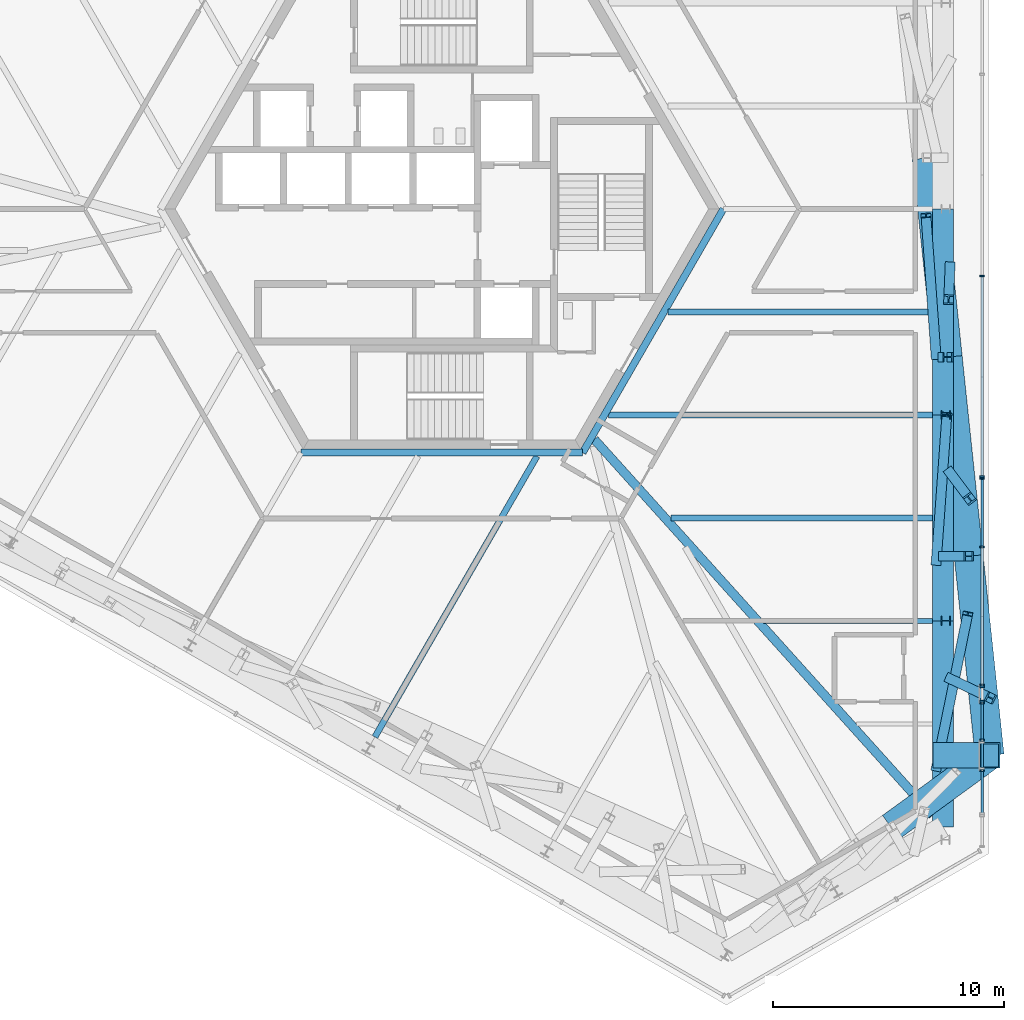
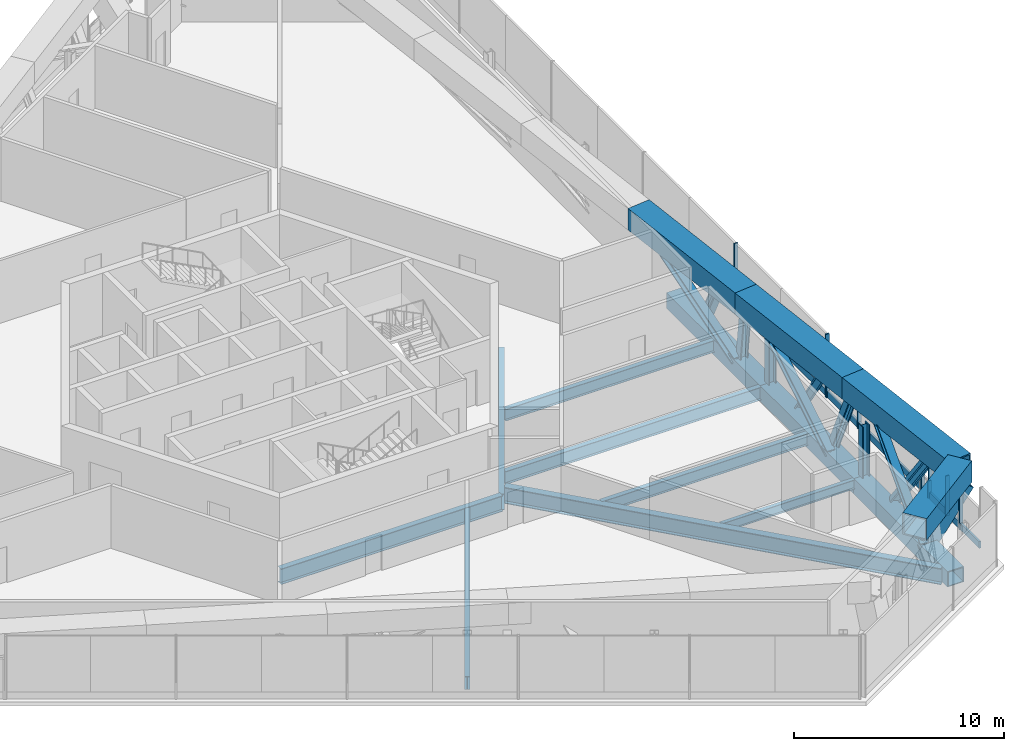
# One storey, part 4 of 23: 34 members, 8 beams, 6 elements without a shape of their own.
"""IFC4 building model written with IfcOpenShell, lengths in metres."""

from ifc_helpers import new_model, si_unit, direction, frame, origin, origin_2d, place, context, subcontext, project, spatial, rectangle, hollow_rectangle, i_section, extrude, source, transform, mapped, material, material_profile, profile_set, type_object, element, aggregate, save


model = new_model("IFC4")

# Units and contexts
model_context = context("Model", 3, precision=1e-05, world=origin(), true_north=direction((0.0, 1.0)))
body_context = subcontext(model_context, "Body", "Model", "MODEL_VIEW")
ifc_project = project(units=[si_unit("LENGTHUNIT", "METRE"), si_unit("AREAUNIT", "SQUARE_METRE"), si_unit("VOLUMEUNIT", "CUBIC_METRE"), si_unit("PLANEANGLEUNIT", "RADIAN"), si_unit("MASSUNIT", "GRAM", prefix="KILO")], contexts=[model_context])

# Site, building, storey
site_placement = place(None, origin())
site = spatial("IfcSite", under=ifc_project, at=site_placement, CompositionType="ELEMENT")
building_placement = place(site_placement, origin())
building = spatial("IfcBuilding", under=site, at=building_placement, Name="Triune Harvest Tower", CompositionType="ELEMENT")
storey_placement = place(building_placement, frame((0.0, 0.0, 54.699951171875)))
storey = spatial("IfcBuildingStorey", under=building, at=storey_placement, Name="L12", CompositionType="ELEMENT", Elevation=54.699951171875)

# Beams
ifc_material_1 = material(Name="Steel ASTM A992 Gr 50", Category="steel")
ifc_material_profile_1 = material_profile(ifc_material_1, i_section(OverallWidth=0.383544921875, OverallDepth=0.9423828125, WebThickness=0.022216796875, FlangeThickness=0.039794921875, at=origin_2d()), Name="W36x232")
ifc_profile_set_1 = profile_set([ifc_material_profile_1], Name="Steel ASTM A992 Gr 50")
beam_type_1 = type_object("IfcBeamType", Name="HG-1 Hip girder W36x232", PredefinedType="BEAM", material=ifc_profile_set_1)
beam_1_placement = place(storey_placement, frame((21.2294921875, -26.22998046875, -0.72119140625), z_axis=(-0.668993711895, 0.743268062979, 0.0), x_axis=(-0.743268062979, -0.668993711895, 0.0)))
element("IfcBeam", 1, at=beam_1_placement, inside=storey, type_object=beam_type_1, Name="beam/L12/HG1", PredefinedType="BEAM", context=body_context, shape_type="SweptSolid", body=[
    extrude(i_section(OverallWidth=0.383544921875, OverallDepth=0.9423828125, WebThickness=0.022216796875, FlangeThickness=0.039794921875, at=origin_2d()), origin(), (0.0, 0.0, 1.0), 21.875),
])
ifc_material_2 = material(Name="Steel ASTM A992 Gr 50", Category="steel")
ifc_material_profile_2 = material_profile(ifc_material_2, i_section(OverallWidth=0.253662109375, OverallDepth=0.683349609375, WebThickness=0.012451171875, FlangeThickness=0.01904296875, at=origin_2d()), Name="W27x94")
ifc_profile_set_2 = profile_set([ifc_material_profile_2], Name="Steel ASTM A992 Gr 50")
beam_type_2 = type_object("IfcBeamType", Name="JT-4 Floor joist W27x94", PredefinedType="JOIST", material=ifc_profile_set_2)
beam_2_placement = place(storey_placement, frame((21.2294921875, -13.364990234375, -0.591552734375), z_axis=(-1.0, 0.0, 0.0), x_axis=(0.0, -1.0, 0.0)))
element("IfcBeam", 2, at=beam_2_placement, inside=storey, type_object=beam_type_2, Name="beam/L12/JT3", PredefinedType="JOIST", context=body_context, shape_type="SweptSolid", body=[
    extrude(i_section(OverallWidth=0.253662109375, OverallDepth=0.683349609375, WebThickness=0.012451171875, FlangeThickness=0.01904296875, at=origin_2d()), origin(), (0.0, 0.0, 1.0), 11.3212890625),
])

# Members
ifc_material_3 = material(Name="Steel ASTM A992 Gr 50", Category="steel")
ifc_material_profile_3 = material_profile(ifc_material_3, i_section(OverallWidth=0.424072265625, OverallDepth=0.47509765625, WebThickness=0.0478515625, FlangeThickness=0.0771484375, at=origin_2d()), Name="W14x426")
ifc_profile_set_3 = profile_set([ifc_material_profile_3], Name="Steel ASTM A992 Gr 50")
member_type_1 = type_object("IfcMemberType", Name="TD-1 Belt truss diagonal W14x426", PredefinedType="BRACE", material=ifc_profile_set_3)
member_1_placement = place(storey_placement, frame((21.37939453125, -15.320068359375, -0.324951171875), z_axis=(0.066306938849, 0.917280849106, 0.392682102627), x_axis=(-0.997397532145, 0.072098286187, 0.0)))
element("IfcMember", 3, at=member_1_placement, inside=storey, type_object=member_type_1, Name="truss/L12/TD3", PredefinedType="BRACE", context=body_context, shape_type="SweptSolid", body=[
    extrude(i_section(OverallWidth=0.424072265625, OverallDepth=0.47509765625, WebThickness=0.0478515625, FlangeThickness=0.0771484375, at=origin_2d()), origin(), (0.0, 0.0, 1.0), 7.003173828125),
])
member_2_placement = place(storey_placement, frame((21.9794921875, -11.409912109375, -0.324951171875), z_axis=(0.274078695252, -0.365148647882, 0.88968945917), x_axis=(0.799771584176, 0.600304433721, 0.0)))
element("IfcMember", 4, at=member_2_placement, inside=storey, type_object=member_type_1, Name="truss/L12/TD4", PredefinedType="BRACE", context=body_context, shape_type="SweptSolid", body=[
    extrude(i_section(OverallWidth=0.424072265625, OverallDepth=0.47509765625, WebThickness=0.0478515625, FlangeThickness=0.0771484375, at=origin_2d()), origin(), (0.0, 0.0, 1.0), 3.091064453125),
])

# Curtain wall, member
ifc_material_4 = material(Name="Aluminium bronze anodised", Category="aluminium")
curtain_wall_type = type_object("IfcCurtainWallType", Name="CW-5 Plant louvre wall", PredefinedType="NOTDEFINED", material=ifc_material_4)
curtain_wall_1_placement = place(storey_placement, origin())
curtain_wall_1 = element("IfcCurtainWall", 5, at=curtain_wall_1_placement, inside=storey, type_object=curtain_wall_type, Name="CW-5 B1-F1 L12 run 201")
ifc_material_5 = material(Name="Aluminium bronze anodised", Category="aluminium")
ifc_material_profile_4 = material_profile(ifc_material_5, rectangle(XDim=0.10009765625, YDim=0.39990234375, at=origin_2d()), Name="TR-5 transom 100 x 400")
ifc_profile_set_4 = profile_set([ifc_material_profile_4], Name="Aluminium bronze anodised")
member_type_2 = type_object("IfcMemberType", Name="TR-5 transom 100 x 400", PredefinedType="USERDEFINED", material=ifc_profile_set_4)
member_3_placement = place(storey_placement, frame((23.371337890625, -24.169677734375, 0.199951171875), z_axis=(0.0, 1.0, 0.0), x_axis=(-1.0, 0.0, 0.0)))
member_3 = element("IfcMember", 6, at=member_3_placement, type_object=member_type_2, Name="CW-5 transom B1-F1 201.1", ObjectType="TRANSOM", PredefinedType="USERDEFINED", context=body_context, shape_type="SweptSolid", body=[
    extrude(rectangle(XDim=0.10009765625, YDim=0.39990234375, at=origin_2d()), origin(), (0.0, 0.0, 1.0), 1.06005859375),
])
aggregate(curtain_wall_1, [member_3])

curtain_wall_2_placement = place(storey_placement, origin())
curtain_wall_2 = element("IfcCurtainWall", 7, at=curtain_wall_2_placement, inside=storey, type_object=curtain_wall_type, Name="CW-5 B1-F1 L12 run 301")
member_4_placement = place(storey_placement, frame((23.371337890625, -22.94970703125, 0.199951171875), z_axis=(0.0, 1.0, 0.0), x_axis=(-1.0, 0.0, 0.0)))
member_4 = element("IfcMember", 8, at=member_4_placement, type_object=member_type_2, Name="CW-5 transom B1-F1 301.1", ObjectType="TRANSOM", PredefinedType="USERDEFINED", context=body_context, shape_type="SweptSolid", body=[
    extrude(rectangle(XDim=0.10009765625, YDim=0.39990234375, at=origin_2d()), origin(), (0.0, 0.0, 1.0), 1.5390625),
])

# Curtain wall, members
curtain_wall_3_placement = place(storey_placement, origin())
curtain_wall_3 = element("IfcCurtainWall", 9, at=curtain_wall_3_placement, inside=storey, type_object=curtain_wall_type, Name="CW-5 B1-F1 L12 run 501")
member_5_placement = place(storey_placement, frame((23.371337890625, -20.552978515625, 0.199951171875), z_axis=(0.0, 1.0, 0.0), x_axis=(-1.0, 0.0, 0.0)))
member_5 = element("IfcMember", 10, at=member_5_placement, type_object=member_type_2, Name="CW-5 transom B1-F1 501.1", ObjectType="TRANSOM", PredefinedType="USERDEFINED", context=body_context, shape_type="SweptSolid", body=[
    extrude(rectangle(XDim=0.10009765625, YDim=0.39990234375, at=origin_2d()), origin(), (0.0, 0.0, 1.0), 5.889404296875),
])
member_6_placement = place(storey_placement, frame((23.371337890625, -14.58349609375, 0.199951171875), z_axis=(0.0, 1.0, 0.0), x_axis=(-1.0, 0.0, 0.0)))
member_6 = element("IfcMember", 11, at=member_6_placement, type_object=member_type_2, Name="CW-5 transom B1-F1 501.2", ObjectType="TRANSOM", PredefinedType="USERDEFINED", context=body_context, shape_type="SweptSolid", body=[
    extrude(rectangle(XDim=0.10009765625, YDim=0.39990234375, at=origin_2d()), origin(), (0.0, 0.0, 1.0), 2.884765625),
])

# Curtain wall, member
curtain_wall_4_placement = place(storey_placement, origin())
curtain_wall_4 = element("IfcCurtainWall", 12, at=curtain_wall_4_placement, inside=storey, type_object=curtain_wall_type, Name="CW-5 B1-F1 L12 run 601")
member_7_placement = place(storey_placement, frame((23.371337890625, -11.538818359375, 0.199951171875), z_axis=(0.0, 1.0, 0.0), x_axis=(-1.0, 0.0, 0.0)))
member_7 = element("IfcMember", 13, at=member_7_placement, type_object=member_type_2, Name="CW-5 transom B1-F1 601.1", ObjectType="TRANSOM", PredefinedType="USERDEFINED", context=body_context, shape_type="SweptSolid", body=[
    extrude(rectangle(XDim=0.10009765625, YDim=0.39990234375, at=origin_2d()), origin(), (0.0, 0.0, 1.0), 8.59912109375),
])

# Beams
ifc_material_6 = material(Name="Steel ASTM A992 Gr 50", Category="steel")
ifc_material_profile_5 = material_profile(ifc_material_6, i_section(OverallWidth=0.3046875, OverallDepth=0.914306640625, WebThickness=0.0166015625, FlangeThickness=0.02587890625, at=origin_2d()), Name="W36x160")
ifc_profile_set_5 = profile_set([ifc_material_profile_5], Name="Steel ASTM A992 Gr 50")
beam_type_3 = type_object("IfcBeamType", Name="CG-1 Core ring girder W36x160", PredefinedType="BEAM", material=ifc_profile_set_5)
shared_shape_1 = source(origin(), body_context, "Body", "SweptSolid", [
    extrude(i_section(OverallWidth=0.3046875, OverallDepth=0.914306640625, WebThickness=0.0166015625, FlangeThickness=0.02587890625, at=origin_2d()), origin(), (0.0, 0.0, 1.0), 12.176025390625),
])
beam_3_placement = place(storey_placement, frame((6.087890625, -10.544677734375, -0.70703125), z_axis=(0.5000099932, 0.866019634131, 0.0), x_axis=(-0.866019634131, 0.5000099932, 0.0)))
element("IfcBeam", 14, at=beam_3_placement, inside=storey, type_object=beam_type_3, Name="beam/L12/CG6", PredefinedType="BEAM", context=body_context, shape_type="MappedRepresentation", body=[
    mapped(shared_shape_1, transform((0.0, 0.0, 0.0), scale=1.0)),
])
shared_shape_2 = source(origin(), body_context, "Body", "SweptSolid", [
    extrude(i_section(OverallWidth=0.3046875, OverallDepth=0.914306640625, WebThickness=0.0166015625, FlangeThickness=0.02587890625, at=origin_2d()), origin(), (0.0, 0.0, 1.0), 12.17578125),
])
beam_4_placement = place(storey_placement, frame((-6.087890625, -10.544677734375, -0.70703125), z_axis=(1.0, 0.0, 0.0), x_axis=(0.0, 1.0, 0.0)))
element("IfcBeam", 15, at=beam_4_placement, inside=storey, type_object=beam_type_3, Name="beam/L12/CG5", PredefinedType="BEAM", context=body_context, shape_type="MappedRepresentation", body=[
    mapped(shared_shape_2, transform((0.0, 0.0, 0.0), scale=1.0)),
])
ifc_material_7 = material(Name="Steel ASTM A992 Gr 50", Category="steel")
ifc_material_profile_6 = material_profile(ifc_material_7, i_section(OverallWidth=0.2099609375, OverallDepth=0.535888671875, WebThickness=0.010986328125, FlangeThickness=0.017333984375, at=origin_2d()), Name="W21x68")
ifc_profile_set_6 = profile_set([ifc_material_profile_6], Name="Steel ASTM A992 Gr 50")
beam_type_4 = type_object("IfcBeamType", Name="JT-2 Floor joist W21x68", PredefinedType="JOIST", material=ifc_profile_set_6)
shared_shape_3 = source(origin(), body_context, "Body", "SweptSolid", [
    extrude(i_section(OverallWidth=0.2099609375, OverallDepth=0.535888671875, WebThickness=0.010986328125, FlangeThickness=0.017333984375, at=origin_2d()), origin(), (0.0, 0.0, 1.0), 7.3115234375),
])
beam_5_placement = place(storey_placement, frame((21.2294921875, -17.820068359375, -0.51806640625), z_axis=(-1.0, 0.0, 0.0), x_axis=(0.0, -1.0, 0.0)))
element("IfcBeam", 16, at=beam_5_placement, inside=storey, type_object=beam_type_4, Name="beam/L12/JT2", PredefinedType="JOIST", context=body_context, shape_type="MappedRepresentation", body=[
    mapped(shared_shape_3, transform((0.0, 0.0, 0.0), scale=1.0)),
])
ifc_material_8 = material(Name="Steel ASTM A992 Gr 50", Category="steel")
ifc_material_profile_7 = material_profile(ifc_material_8, i_section(OverallWidth=0.2666015625, OverallDepth=0.7568359375, WebThickness=0.013916015625, FlangeThickness=0.019287109375, at=origin_2d()), Name="W30x108")
ifc_profile_set_7 = profile_set([ifc_material_profile_7], Name="Steel ASTM A992 Gr 50")
beam_type_5 = type_object("IfcBeamType", Name="JT-5 Floor joist W30x108", PredefinedType="JOIST", material=ifc_profile_set_7)
shared_shape_4 = source(origin(), body_context, "Body", "SweptSolid", [
    extrude(i_section(OverallWidth=0.2666015625, OverallDepth=0.7568359375, WebThickness=0.013916015625, FlangeThickness=0.019287109375, at=origin_2d()), origin(), (0.0, 0.0, 1.0), 14.021728515625),
])
for number, where, z_axis, x_axis, name in (
    (17, (21.2294921875, -8.909912109375, -0.62841796875), (-1.0, 0.0, 0.0), (0.0, -1.0, 0.0), "beam/L12/JT4"),
    (18, (-2.8984375, -22.84033203125, -0.62841796875), (0.499989226071, 0.866031624026, 0.0), (-0.866031624026, 0.499989226071, 0.0), "beam/L12/JT34"),
):
    element("IfcBeam", number, at=place(storey_placement, frame(where, z_axis=z_axis, x_axis=x_axis)), inside=storey, type_object=beam_type_5, Name=name, PredefinedType="JOIST", context=body_context, shape_type="MappedRepresentation", body=[
        mapped(shared_shape_4, transform((0.0, 0.0, 0.0), scale=1.0)),
    ])
shared_shape_5 = source(origin(), body_context, "Body", "SweptSolid", [
    extrude(i_section(OverallWidth=0.253662109375, OverallDepth=0.683349609375, WebThickness=0.012451171875, FlangeThickness=0.01904296875, at=origin_2d()), origin(), (0.0, 0.0, 1.0), 11.44970703125),
])
beam_6_placement = place(storey_placement, frame((21.2294921875, -4.455078125, -0.591552734375), z_axis=(-1.0, 0.0, 0.0), x_axis=(0.0, -1.0, 0.0)))
element("IfcBeam", 19, at=beam_6_placement, inside=storey, type_object=beam_type_2, Name="beam/L12/JT5", PredefinedType="JOIST", context=body_context, shape_type="MappedRepresentation", body=[
    mapped(shared_shape_5, transform((0.0, 0.0, 0.0), scale=1.0)),
])

# Members
ifc_material_9 = material(Name="Steel ASTM A992 Gr 50", Category="steel")
ifc_material_profile_8 = material_profile(ifc_material_9, i_section(OverallWidth=0.40380859375, OverallDepth=0.406494140625, WebThickness=0.027099609375, FlangeThickness=0.043701171875, at=origin_2d()), Name="W14x233")
ifc_profile_set_8 = profile_set([ifc_material_profile_8], Name="Steel ASTM A992 Gr 50")
member_type_3 = type_object("IfcMemberType", Name="WP-1 Roof edge post W14x233", PredefinedType="POST", material=ifc_profile_set_8)
shared_shape_6 = source(origin(), body_context, "Body", "SweptSolid", [
    extrude(i_section(OverallWidth=0.40380859375, OverallDepth=0.406494140625, WebThickness=0.027099609375, FlangeThickness=0.043701171875, at=origin_2d()), origin(), (0.0, 0.0, 1.0), 2.9755859375),
])
for number, where, z_axis, x_axis, name in (
    (20, (21.799560546875, -17.820068359375, -0.25), (0.0, 0.0, 1.0), (0.0, 1.0, 0.0), "post/L12/W1"),
    (21, (21.799560546875, -8.909912109375, -0.25), (0.0, 0.0, 1.0), (0.0, 1.0, 0.0), "post/L12/W2"),
):
    element("IfcMember", number, at=place(storey_placement, frame(where, z_axis=z_axis, x_axis=x_axis)), inside=storey, type_object=member_type_3, Name=name, PredefinedType="POST", context=body_context, shape_type="MappedRepresentation", body=[
        mapped(shared_shape_6, transform((0.0, 0.0, 0.0), scale=1.0)),
    ])
ifc_material_10 = material(Name="Steel ASTM A572 Gr 50", Category="steel")
ifc_material_profile_9 = material_profile(ifc_material_10, hollow_rectangle(XDim=0.89990234375, YDim=0.89990234375, WallThickness=0.050048828125, at=origin_2d()), Name="Box 900x900x50")
ifc_profile_set_9 = profile_set([ifc_material_profile_9], Name="Steel ASTM A572 Gr 50")
member_type_4 = type_object("IfcMemberType", Name="TC-2 Belt truss chord Box 900x900x50", PredefinedType="CHORD", material=ifc_profile_set_9)
shared_shape_7 = source(origin(), body_context, "Body", "SweptSolid", [
    extrude(hollow_rectangle(XDim=0.89990234375, YDim=0.89990234375, WallThickness=0.050048828125, at=origin_2d()), origin(), (0.0, 0.0, 1.0), 8.909912109375),
])
for number, where, z_axis, x_axis, name in (
    (22, (21.679443359375, -26.72998046875, -0.699951171875), (0.0, 1.0, 0.0), (-1.0, 0.0, 0.0), "truss/L12/TCB1"),
    (23, (21.679443359375, -8.909912109375, -0.699951171875), (0.0, 1.0, 0.0), (-1.0, 0.0, 0.0), "truss/L12/TCB3"),
):
    element("IfcMember", number, at=place(storey_placement, frame(where, z_axis=z_axis, x_axis=x_axis)), inside=storey, type_object=member_type_4, Name=name, PredefinedType="CHORD", context=body_context, shape_type="MappedRepresentation", body=[
        mapped(shared_shape_7, transform((0.0, 0.0, 0.0), scale=1.0)),
    ])
shared_shape_8 = source(origin(), body_context, "Body", "SweptSolid", [
    extrude(hollow_rectangle(XDim=0.89990234375, YDim=0.89990234375, WallThickness=0.050048828125, at=origin_2d()), origin(), (0.0, 0.0, 1.0), 8.91015625),
])
member_8_placement = place(storey_placement, frame((21.679443359375, -17.820068359375, -0.699951171875), z_axis=(0.0, 1.0, 0.0), x_axis=(-1.0, 0.0, 0.0)))
element("IfcMember", 24, at=member_8_placement, inside=storey, type_object=member_type_4, Name="truss/L12/TCB2", PredefinedType="CHORD", context=body_context, shape_type="MappedRepresentation", body=[
    mapped(shared_shape_8, transform((0.0, 0.0, 0.0), scale=1.0)),
])
ifc_material_11 = material(Name="Steel ASTM A572 Gr 50", Category="steel")
ifc_material_profile_10 = material_profile(ifc_material_11, hollow_rectangle(XDim=1.25, YDim=1.25, WallThickness=0.070068359375, at=origin_2d()), Name="Box 1250x1250x70")
ifc_profile_set_10 = profile_set([ifc_material_profile_10], Name="Steel ASTM A572 Gr 50")
member_type_5 = type_object("IfcMemberType", Name="TC-1 Belt truss chord Box 1250x1250x70", PredefinedType="CHORD", material=ifc_profile_set_10)
shared_shape_9 = source(origin(), body_context, "Body", "SweptSolid", [
    extrude(hollow_rectangle(XDim=1.25, YDim=1.25, WallThickness=0.070068359375, at=origin_2d()), origin(), (0.0, 0.0, 1.0), 8.662109375),
])
for number, where, z_axis, x_axis, name in (
    (25, (23.693359375, -23.6396484375, 3.01513671875), (-0.104536601969, 0.994521039923, 0.0), (-0.994521039923, -0.104536601969, 0.0), "truss/L12/TCT1"),
    (26, (21.88232421875, -6.409912109375, 3.01513671875), (-0.104508725265, 0.994523969718, 0.0), (-0.994523969718, -0.104508725265, 0.0), "truss/L12/TCT3"),
):
    element("IfcMember", number, at=place(storey_placement, frame(where, z_axis=z_axis, x_axis=x_axis)), inside=storey, type_object=member_type_5, Name=name, PredefinedType="CHORD", context=body_context, shape_type="MappedRepresentation", body=[
        mapped(shared_shape_9, transform((0.0, 0.0, 0.0), scale=1.0)),
    ])
shared_shape_10 = source(origin(), body_context, "Body", "SweptSolid", [
    extrude(hollow_rectangle(XDim=1.25, YDim=1.25, WallThickness=0.070068359375, at=origin_2d()), origin(), (0.0, 0.0, 1.0), 8.662353515625),
])
member_9_placement = place(storey_placement, frame((22.787841796875, -15.02490234375, 3.01513671875), z_axis=(-0.104533671873, 0.994521347908, 0.0), x_axis=(-0.994521347908, -0.104533671873, 0.0)))
element("IfcMember", 27, at=member_9_placement, inside=storey, type_object=member_type_5, Name="truss/L12/TCT2", PredefinedType="CHORD", context=body_context, shape_type="MappedRepresentation", body=[
    mapped(shared_shape_10, transform((0.0, 0.0, 0.0), scale=1.0)),
])
shared_shape_11 = source(origin(), body_context, "Body", "SweptSolid", [
    extrude(hollow_rectangle(XDim=1.25, YDim=1.25, WallThickness=0.070068359375, at=origin_2d()), origin(), (0.0, 0.0, 1.0), 5.2734375),
])
member_10_placement = place(storey_placement, frame((19.427001953125, -26.7392578125, 3.01513671875), z_axis=(0.809024274198, 0.587775232345, 0.0), x_axis=(-0.587775232345, 0.809024274198, 0.0)))
element("IfcMember", 28, at=member_10_placement, inside=storey, type_object=member_type_5, Name="truss/L12/TCT24", PredefinedType="CHORD", context=body_context, shape_type="MappedRepresentation", body=[
    mapped(shared_shape_11, transform((0.0, 0.0, 0.0), scale=1.0)),
])
ifc_material_12 = material(Name="Steel ASTM A572 Gr 50", Category="steel")
ifc_material_profile_11 = material_profile(ifc_material_12, hollow_rectangle(XDim=1.10009765625, YDim=1.10009765625, WallThickness=0.06005859375, at=origin_2d()), Name="Box 1100x1100x60")
ifc_profile_set_11 = profile_set([ifc_material_profile_11], Name="Steel ASTM A572 Gr 50")
member_type_6 = type_object("IfcMemberType", Name="TS-1 Belt truss raked strut Box 1100x1100x60", PredefinedType="STRUT", material=ifc_profile_set_11)
shared_shape_12 = source(origin(), body_context, "Body", "SweptSolid", [
    extrude(hollow_rectangle(XDim=1.10009765625, YDim=1.10009765625, WallThickness=0.06005859375, at=origin_2d()), origin(), (0.0, 0.0, 1.0), 3.368408203125),
])
member_11_placement = place(storey_placement, frame((21.679443359375, -23.6396484375, -0.27490234375), z_axis=(0.597898873997, 0.0, 0.801571541706), x_axis=(0.0, 1.0, 0.0)))
element("IfcMember", 29, at=member_11_placement, inside=storey, type_object=member_type_6, Name="truss/L12/TS1", PredefinedType="STRUT", context=body_context, shape_type="MappedRepresentation", body=[
    mapped(shared_shape_12, transform((0.0, 0.0, 0.0), scale=1.0)),
])
ifc_material_13 = material(Name="Steel ASTM A992 Gr 50", Category="steel")
ifc_material_profile_12 = material_profile(ifc_material_13, i_section(OverallWidth=0.411376953125, OverallDepth=0.434326171875, WebThickness=0.035888671875, FlangeThickness=0.057373046875, at=origin_2d()), Name="W14x311")
ifc_profile_set_12 = profile_set([ifc_material_profile_12], Name="Steel ASTM A992 Gr 50")
member_type_7 = type_object("IfcMemberType", Name="TV-1 Belt truss strut W14x311", PredefinedType="STRUT", material=ifc_profile_set_12)
shared_shape_13 = source(origin(), body_context, "Body", "SweptSolid", [
    extrude(i_section(OverallWidth=0.411376953125, OverallDepth=0.434326171875, WebThickness=0.035888671875, FlangeThickness=0.057373046875, at=origin_2d()), origin(), (0.0, 0.0, 1.0), 2.918701171875),
])
member_12_placement = place(storey_placement, frame((21.679443359375, -15.02490234375, -0.27490234375), z_axis=(0.379769306759, 0.0, 0.92508122543), x_axis=(0.0, 1.0, 0.0)))
element("IfcMember", 30, at=member_12_placement, inside=storey, type_object=member_type_7, Name="truss/L12/TS2", PredefinedType="STRUT", context=body_context, shape_type="MappedRepresentation", body=[
    mapped(shared_shape_13, transform((0.0, 0.0, 0.0), scale=1.0)),
])
shared_shape_14 = source(origin(), body_context, "Body", "SweptSolid", [
    extrude(i_section(OverallWidth=0.411376953125, OverallDepth=0.434326171875, WebThickness=0.035888671875, FlangeThickness=0.057373046875, at=origin_2d()), origin(), (0.0, 0.0, 1.0), 2.70751953125),
])
member_13_placement = place(storey_placement, frame((21.679443359375, -6.409912109375, -0.27490234375), z_axis=(0.074931170673, 0.0, 0.99718870815), x_axis=(0.0, 1.0, 0.0)))
element("IfcMember", 31, at=member_13_placement, inside=storey, type_object=member_type_7, Name="truss/L12/TS3", PredefinedType="STRUT", context=body_context, shape_type="MappedRepresentation", body=[
    mapped(shared_shape_14, transform((0.0, 0.0, 0.0), scale=1.0)),
])
shared_shape_15 = source(origin(), body_context, "Body", "SweptSolid", [
    extrude(i_section(OverallWidth=0.424072265625, OverallDepth=0.47509765625, WebThickness=0.0478515625, FlangeThickness=0.0771484375, at=origin_2d()), origin(), (0.0, 0.0, 1.0), 7.38818359375),
])
member_14_placement = place(storey_placement, frame((21.37939453125, -24.22998046875, -0.324951171875), z_axis=(0.185416296596, 0.909435376693, 0.372220489193), x_axis=(-0.979842619256, 0.19977097259, 0.0)))
element("IfcMember", 32, at=member_14_placement, inside=storey, type_object=member_type_1, Name="truss/L12/TD1", PredefinedType="BRACE", context=body_context, shape_type="MappedRepresentation", body=[
    mapped(shared_shape_15, transform((0.0, 0.0, 0.0), scale=1.0)),
])
shared_shape_16 = source(origin(), body_context, "Body", "SweptSolid", [
    extrude(i_section(OverallWidth=0.424072265625, OverallDepth=0.47509765625, WebThickness=0.0478515625, FlangeThickness=0.0771484375, at=origin_2d()), origin(), (0.0, 0.0, 1.0), 3.36572265625),
])
member_15_placement = place(storey_placement, frame((21.9794921875, -20.320068359375, -0.324951171875), z_axis=(0.520678416389, -0.247572504198, 0.817069055755), x_axis=(0.429410940604, 0.903109209392, 0.0)))
element("IfcMember", 33, at=member_15_placement, inside=storey, type_object=member_type_1, Name="truss/L12/TD2", PredefinedType="BRACE", context=body_context, shape_type="MappedRepresentation", body=[
    mapped(shared_shape_16, transform((0.0, 0.0, 0.0), scale=1.0)),
])
shared_shape_17 = source(origin(), body_context, "Body", "SweptSolid", [
    extrude(i_section(OverallWidth=0.424072265625, OverallDepth=0.47509765625, WebThickness=0.0478515625, FlangeThickness=0.0771484375, at=origin_2d()), origin(), (0.0, 0.0, 1.0), 6.731689453125),
])
member_16_placement = place(storey_placement, frame((21.37939453125, -6.409912109375, -0.324951171875), z_axis=(-0.065535856789, 0.910393512521, 0.408520138835), x_axis=(-0.997419013336, -0.071800500243, 0.0)))
element("IfcMember", 34, at=member_16_placement, inside=storey, type_object=member_type_1, Name="truss/L12/TD5", PredefinedType="BRACE", context=body_context, shape_type="MappedRepresentation", body=[
    mapped(shared_shape_17, transform((0.0, 0.0, 0.0), scale=1.0)),
])
shared_shape_18 = source(origin(), body_context, "Body", "SweptSolid", [
    extrude(i_section(OverallWidth=0.424072265625, OverallDepth=0.47509765625, WebThickness=0.0478515625, FlangeThickness=0.0771484375, at=origin_2d()), origin(), (0.0, 0.0, 1.0), 3.09716796875),
])
member_17_placement = place(storey_placement, frame((21.9794921875, -2.5, -0.324951171875), z_axis=(-0.018839620001, -0.459639431917, 0.887905772785), x_axis=(0.999161056077, -0.040953437215, 0.0)))
element("IfcMember", 35, at=member_17_placement, inside=storey, type_object=member_type_1, Name="truss/L12/TD6", PredefinedType="BRACE", context=body_context, shape_type="MappedRepresentation", body=[
    mapped(shared_shape_18, transform((0.0, 0.0, 0.0), scale=1.0)),
])

# Member
ifc_material_14 = material(Name="Aluminium bronze anodised", Category="aluminium")
ifc_material_profile_13 = material_profile(ifc_material_14, rectangle(XDim=0.199951171875, YDim=0.080078125, at=origin_2d()), Name="MU-5 mullion 80 x 200")
ifc_profile_set_13 = profile_set([ifc_material_profile_13], Name="Aluminium bronze anodised")
member_type_8 = type_object("IfcMemberType", Name="MU-5 mullion 80 x 200", PredefinedType="MULLION", material=ifc_profile_set_13)
shared_shape_19 = source(origin(), body_context, "Body", "SweptSolid", [
    extrude(rectangle(XDim=0.199951171875, YDim=0.080078125, at=origin_2d()), origin(), (0.0, 0.0, 1.0), 3.64013671875),
])
member_18_placement = place(storey_placement, frame((23.371337890625, -11.57861328125, 0.0), z_axis=(0.0, 0.0, 1.0), x_axis=(-1.0, 0.0, 0.0)))
member_18 = element("IfcMember", 36, at=member_18_placement, type_object=member_type_8, Name="CW-5 mullion B1-F1 601.1", PredefinedType="MULLION", context=body_context, shape_type="MappedRepresentation", body=[
    mapped(shared_shape_19, transform((0.0, 0.0, 0.0), scale=1.0)),
])

member_19_placement = place(storey_placement, frame((23.371337890625, -2.899658203125, 0.0), z_axis=(0.0, 0.0, 1.0), x_axis=(-1.0, 0.0, 0.0)))
member_19 = element("IfcMember", 37, at=member_19_placement, type_object=member_type_8, Name="CW-5 mullion B1-F1 601.3", PredefinedType="MULLION", context=body_context, shape_type="MappedRepresentation", body=[
    mapped(shared_shape_19, transform((0.0, 0.0, 0.0), scale=1.0)),
])

aggregate(curtain_wall_4, [member_18, member_19, member_7])

# Curtain wall, member
curtain_wall_5_placement = place(storey_placement, origin())
curtain_wall_5 = element("IfcCurtainWall", 38, at=curtain_wall_5_placement, inside=storey, type_object=curtain_wall_type, Name="CW-5 B1-F1 L12 run 101")
shared_shape_20 = source(origin(), body_context, "Body", "SweptSolid", [
    extrude(rectangle(XDim=0.199951171875, YDim=0.080078125, at=origin_2d()), origin(), (0.0, 0.0, 1.0), 2.330078125),
])
member_20_placement = place(storey_placement, frame((23.371337890625, -24.28955078125, 0.0), z_axis=(0.0, 0.0, 1.0), x_axis=(-1.0, 0.0, 0.0)))
member_20 = element("IfcMember", 39, at=member_20_placement, type_object=member_type_8, Name="CW-5 mullion B1-F1 101.2", PredefinedType="MULLION", context=body_context, shape_type="MappedRepresentation", body=[
    mapped(shared_shape_20, transform((0.0, 0.0, 0.0), scale=1.0)),
])

# Member
member_21_placement = place(storey_placement, frame((23.371337890625, -22.989501953125, 0.0), z_axis=(0.0, 0.0, 1.0), x_axis=(-1.0, 0.0, 0.0)))
member_21 = element("IfcMember", 40, at=member_21_placement, type_object=member_type_8, Name="CW-5 mullion B1-F1 301.1", PredefinedType="MULLION", context=body_context, shape_type="MappedRepresentation", body=[
    mapped(shared_shape_20, transform((0.0, 0.0, 0.0), scale=1.0)),
])

member_22_placement = place(storey_placement, frame((23.371337890625, -21.37060546875, 0.0), z_axis=(0.0, 0.0, 1.0), x_axis=(-1.0, 0.0, 0.0)))
member_22 = element("IfcMember", 41, at=member_22_placement, type_object=member_type_8, Name="CW-5 mullion B1-F1 301.2", PredefinedType="MULLION", context=body_context, shape_type="MappedRepresentation", body=[
    mapped(shared_shape_20, transform((0.0, 0.0, 0.0), scale=1.0)),
])

aggregate(curtain_wall_2, [member_21, member_22, member_4])

member_23_placement = place(storey_placement, frame((23.371337890625, -20.593017578125, 0.0), z_axis=(0.0, 0.0, 1.0), x_axis=(-1.0, 0.0, 0.0)))
member_23 = element("IfcMember", 42, at=member_23_placement, type_object=member_type_8, Name="CW-5 mullion B1-F1 501.1", PredefinedType="MULLION", context=body_context, shape_type="MappedRepresentation", body=[
    mapped(shared_shape_20, transform((0.0, 0.0, 0.0), scale=1.0)),
])

member_24_placement = place(storey_placement, frame((23.371337890625, -14.62353515625, 0.0), z_axis=(0.0, 0.0, 1.0), x_axis=(-1.0, 0.0, 0.0)))
member_24 = element("IfcMember", 43, at=member_24_placement, type_object=member_type_8, Name="CW-5 mullion B1-F1 501.3", PredefinedType="MULLION", context=body_context, shape_type="MappedRepresentation", body=[
    mapped(shared_shape_20, transform((0.0, 0.0, 0.0), scale=1.0)),
])

member_25_placement = place(storey_placement, frame((23.371337890625, -11.65869140625, 0.0), z_axis=(0.0, 0.0, 1.0), x_axis=(-1.0, 0.0, 0.0)))
member_25 = element("IfcMember", 44, at=member_25_placement, type_object=member_type_8, Name="CW-5 mullion B1-F1 501.4", PredefinedType="MULLION", context=body_context, shape_type="MappedRepresentation", body=[
    mapped(shared_shape_20, transform((0.0, 0.0, 0.0), scale=1.0)),
])

aggregate(curtain_wall_3, [member_23, member_24, member_25, member_5, member_6])

shared_shape_21 = source(origin(), body_context, "Body", "SweptSolid", [
    extrude(rectangle(XDim=0.10009765625, YDim=0.39990234375, at=origin_2d()), origin(), (0.0, 0.0, 1.0), 1.795166015625),
])
member_26_placement = place(storey_placement, frame((23.371337890625, -26.124755859375, 0.199951171875), z_axis=(0.0, 1.0, 0.0), x_axis=(-1.0, 0.0, 0.0)))
member_26 = element("IfcMember", 45, at=member_26_placement, type_object=member_type_2, Name="CW-5 transom B1-F1 101.1", ObjectType="TRANSOM", PredefinedType="USERDEFINED", context=body_context, shape_type="MappedRepresentation", body=[
    mapped(shared_shape_21, transform((0.0, 0.0, 0.0), scale=1.0)),
])

aggregate(curtain_wall_5, [member_20, member_26])

# Curtain wall, members
curtain_wall_6_placement = place(storey_placement, origin())
curtain_wall_6 = element("IfcCurtainWall", 46, at=curtain_wall_6_placement, inside=storey, type_object=curtain_wall_type, Name="CW-5 B1-F1 L12 run 401")
shared_shape_22 = source(origin(), body_context, "Body", "SweptSolid", [
    extrude(rectangle(XDim=0.199951171875, YDim=0.080078125, at=origin_2d()), origin(), (0.0, 0.0, 1.0), 1.0029296875),
])
member_27_placement = place(storey_placement, frame((23.371337890625, -21.290771484375, 0.0), z_axis=(0.0, 0.0, 1.0), x_axis=(-1.0, 0.0, 0.0)))
member_27 = element("IfcMember", 47, at=member_27_placement, type_object=member_type_8, Name="CW-5 mullion B1-F1 401.1", PredefinedType="MULLION", context=body_context, shape_type="MappedRepresentation", body=[
    mapped(shared_shape_22, transform((0.0, 0.0, 0.0), scale=1.0)),
])
member_28_placement = place(storey_placement, frame((23.371337890625, -20.673095703125, 0.0), z_axis=(0.0, 0.0, 1.0), x_axis=(-1.0, 0.0, 0.0)))
member_28 = element("IfcMember", 48, at=member_28_placement, type_object=member_type_8, Name="CW-5 mullion B1-F1 401.2", PredefinedType="MULLION", context=body_context, shape_type="MappedRepresentation", body=[
    mapped(shared_shape_22, transform((0.0, 0.0, 0.0), scale=1.0)),
])
aggregate(curtain_wall_6, [member_27, member_28])

save(model, "model.ifc")
